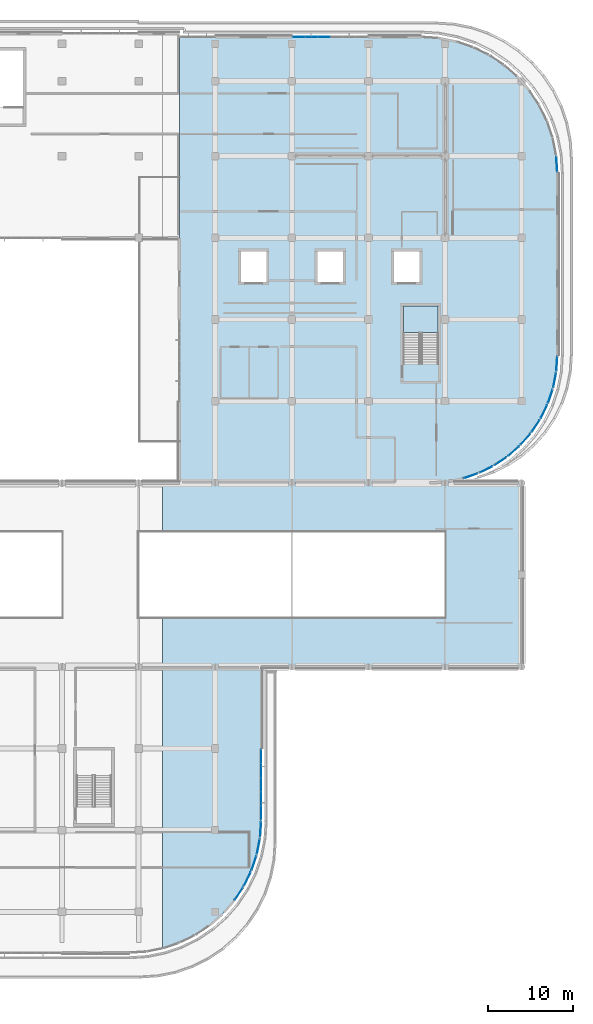
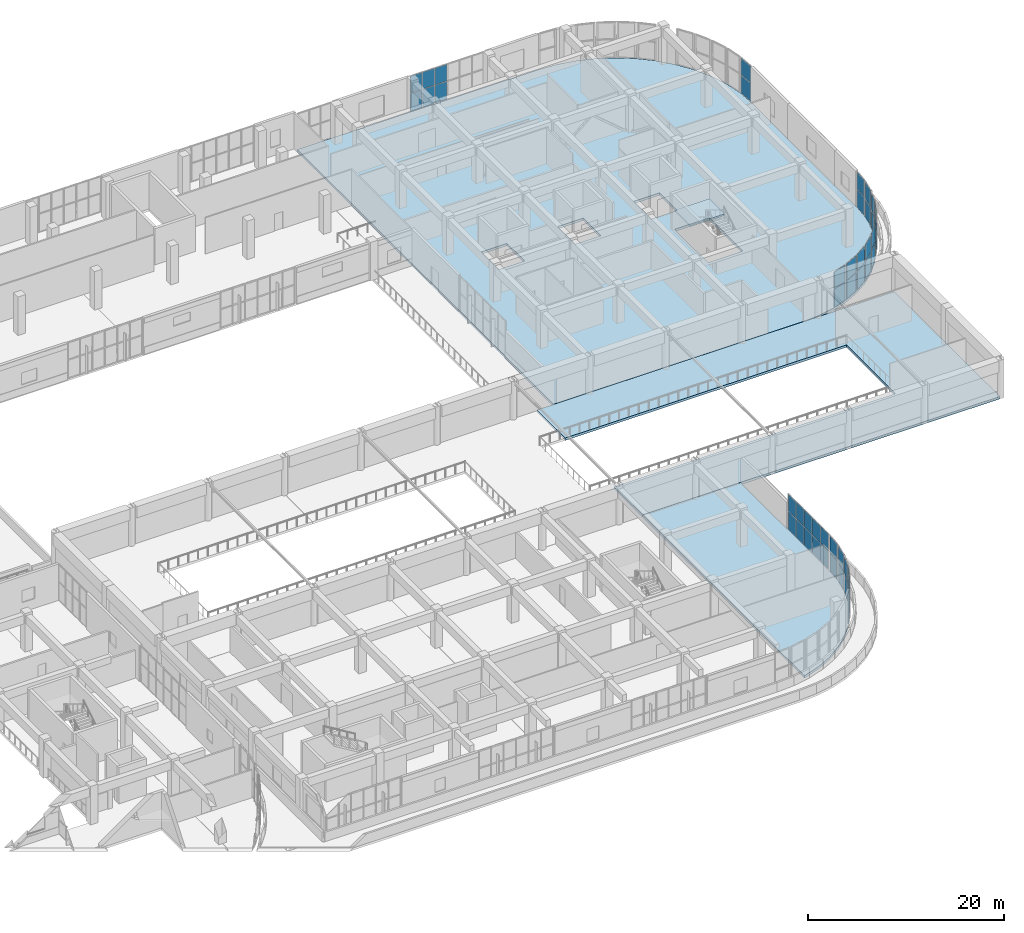
# One storey, part 55 of 96: 48 plates, 4 slabs, 19 elements without a shape of their own.
"""IFC4 building model written with IfcOpenShell, lengths in metres."""

import ifcopenshell
import ifcopenshell.guid

model = None  # the IFC model being written
_history = None  # IfcOwnerHistory: only IFC2X3 demands one
_inside = {}  # id of a spatial element -> (the spatial element, [elements in it])
_under = {}  # id of a project, library or spatial element -> (it, [spatial elements below it])
_declared = {}  # id of a project -> (the project, [libraries it declares])
_typed = {}  # id of a type object -> (the type object, [elements of that type])
_made_of = {}  # id of a material, layer set ... -> (it, [elements and type objects made of it])


def new_model(schema):
    """Start an empty IFC model of exactly this schema.

    Asked for "IFC4X3", IfcOpenShell would pick the latest addendum, in which some entities
    have other attributes; the version numbers below select the first issue.
    IFC2X3 requires an IfcOwnerHistory on every rooted entity: one is made here for all.
    """
    global model, _history
    if schema == "IFC4X3":
        model = ifcopenshell.file(schema_version=(4, 3, 0, 0))
    else:
        model = ifcopenshell.file(schema=schema)
    _inside.clear()
    _under.clear()
    _declared.clear()
    _typed.clear()
    _made_of.clear()
    _history = None
    if model.schema == "IFC2X3":
        org = make("IfcOrganization", Name="unknown")
        user = make(
            "IfcPersonAndOrganization",
            ThePerson=make("IfcPerson", FamilyName="unknown"),
            TheOrganization=org,
        )
        app = make(
            "IfcApplication",
            ApplicationDeveloper=org,
            Version="unknown",
            ApplicationFullName="unknown",
            ApplicationIdentifier="unknown",
        )
        _history = make(
            "IfcOwnerHistory",
            OwningUser=user,
            OwningApplication=app,
            ChangeAction="ADDED",
            CreationDate=0,
        )
    return model


def make(cls, **values):
    """One entity of the class cls with the attributes given. An attribute that is None is left unset."""
    return model.create_entity(
        cls, **{name: value for name, value in values.items() if value is not None}
    )


def rooted(cls, **values):
    """An entity with a GlobalId (a new one), such as an element, a storey or a relation."""
    return make(cls, GlobalId=ifcopenshell.guid.new(), OwnerHistory=_history, **values)


def si_unit(unit_type, name, prefix=None):
    """IfcSIUnit, for example si_unit("LENGTHUNIT", "METRE", prefix="MILLI")."""
    return make("IfcSIUnit", UnitType=unit_type, Prefix=prefix, Name=name)


def assignment(units):
    """IfcUnitAssignment: the units of a project."""
    return None if units is None else make("IfcUnitAssignment", Units=units)


def point(xyz):
    """IfcCartesianPoint."""
    return None if xyz is None else make("IfcCartesianPoint", Coordinates=xyz)


def direction(xyz):
    """IfcDirection."""
    return None if xyz is None else make("IfcDirection", DirectionRatios=xyz)


def frame(location, z_axis=None, x_axis=None):
    """IfcAxis2Placement3D, a coordinate frame: its origin and axes. An axis left out is left unset."""
    return make(
        "IfcAxis2Placement3D",
        Location=point(location),
        Axis=direction(z_axis),
        RefDirection=direction(x_axis),
    )


def frame_2d(location, x_axis=None):
    """IfcAxis2Placement2D, a coordinate frame in the plane: its origin and x axis."""
    return make(
        "IfcAxis2Placement2D", Location=point(location), RefDirection=direction(x_axis)
    )


def origin():
    """The frame at (0, 0, 0) with its axes left unset."""
    return frame((0.0, 0.0, 0.0))


def origin_2d():
    """The frame at (0, 0) in the plane with its x axis left unset."""
    return frame_2d((0.0, 0.0))


def place(relative_to, where):
    """IfcLocalPlacement: puts the frame where relative to a parent placement (None: the world)."""
    return make(
        "IfcLocalPlacement", PlacementRelTo=relative_to, RelativePlacement=where
    )


def context(
    kind, dimensions, precision=None, world=None, true_north=None, identifier=None
):
    """IfcGeometricRepresentationContext, for example the 3D "Model" context."""
    return make(
        "IfcGeometricRepresentationContext",
        ContextIdentifier=identifier,
        ContextType=kind,
        CoordinateSpaceDimension=dimensions,
        Precision=precision,
        WorldCoordinateSystem=world,
        TrueNorth=true_north,
    )


def subcontext(parent, identifier, kind, view, scale=None):
    """IfcGeometricRepresentationSubContext, for example "Body" below "Model"."""
    return make(
        "IfcGeometricRepresentationSubContext",
        ContextIdentifier=identifier,
        ContextType=kind,
        ParentContext=parent,
        TargetScale=scale,
        TargetView=view,
    )


def project(units=None, contexts=None):
    """IfcProject with its units and contexts."""
    return rooted(
        "IfcProject",
        Name="project",
        RepresentationContexts=contexts,
        UnitsInContext=assignment(units),
    )


def spatial(cls, under=None, at=None, **own):
    """A site, building, storey or space (cls), placed at a placement, below another one or the project."""
    s = rooted(cls, ObjectPlacement=at, **own)
    if under is not None:
        _under.setdefault(under.id(), (under, []))[1].append(s)
    return s


def polyline(points):
    """IfcPolyline through the points."""
    return make("IfcPolyline", Points=[point(p) for p in points])


def profile(cls, at=None, kind="AREA", **sizes):
    """A parametric profile (cls). Its sizes go by their IFC names, for example OverallWidth=200.0."""
    return make(cls, ProfileType=kind, Position=at, **sizes)


def rectangle(**sizes):
    """IfcRectangleProfileDef."""
    return profile("IfcRectangleProfileDef", **sizes)


def outline(outer, holes=None, kind="AREA"):
    """IfcArbitraryClosedProfileDef: a profile drawn as a closed curve; with holes, ...WithVoids."""
    if holes is None:
        return make("IfcArbitraryClosedProfileDef", ProfileType=kind, OuterCurve=outer)
    return make(
        "IfcArbitraryProfileDefWithVoids",
        ProfileType=kind,
        OuterCurve=outer,
        InnerCurves=holes,
    )


def extrude(swept, where, along, depth):
    """IfcExtrudedAreaSolid: the profile swept, set in the frame where, extruded along a direction by depth."""
    return make(
        "IfcExtrudedAreaSolid",
        SweptArea=swept,
        Position=where,
        ExtrudedDirection=direction(along),
        Depth=depth,
    )


def shape(context_of_items, identifier, shape_type, items):
    """IfcShapeRepresentation: the items that make up one representation, for example the "Body"."""
    return make(
        "IfcShapeRepresentation",
        ContextOfItems=context_of_items,
        RepresentationIdentifier=identifier,
        RepresentationType=shape_type,
        Items=items,
    )


def material(Name=None, Category=None):
    """IfcMaterial."""
    return make("IfcMaterial", Name=Name, Category=Category)


def layer(
    of_material, thickness, ventilated=None, Name=None, Category=None, Priority=None
):
    """IfcMaterialLayer: one layer of a wall or slab, of a material (None: an air gap)."""
    return make(
        "IfcMaterialLayer",
        Material=of_material,
        LayerThickness=thickness,
        IsVentilated=ventilated,
        Name=Name,
        Category=Category,
        Priority=Priority,
    )


def layer_set(layers, Name=None):
    """IfcMaterialLayerSet."""
    return make("IfcMaterialLayerSet", MaterialLayers=layers, LayerSetName=Name)


def made_of(thing, what):
    """Note that an element or type object is made of a material, layer set ...; save() writes the relation."""
    if what is not None:
        _made_of.setdefault(what.id(), (what, []))[1].append(thing)
    return thing


def type_object(cls, material=None, **own):
    """A type object (cls), such as IfcWallType, which elements share."""
    return made_of(rooted(cls, **own), material)


def element(
    cls,
    number,
    at=None,
    inside=None,
    cuts=None,
    type_object=None,
    material=None,
    context=None,
    identifier="Body",
    shape_type=None,
    held_by="IfcProductDefinitionShape",
    body=None,
    shapes=None,
    **own,
):
    """One element of the class cls, such as IfcWall. Its Tag is "e" and its number.

    at: its placement. inside: the storey or other place that contains it. cuts: it is an
    opening in that element (IfcRelVoidsElement). A single representation is given by context,
    identifier, shape_type and body (its items); several are given by shapes. held_by: the class
    of the entity that holds the representations. save() writes the other relations.
    """
    e = rooted(cls, Tag="e%d" % number, ObjectPlacement=at, **own)
    if body is not None:
        shapes = [shape(context, identifier, shape_type, body)]
    if shapes is not None:
        e.Representation = make(held_by, Representations=shapes)
    if inside is not None:
        _inside.setdefault(inside.id(), (inside, []))[1].append(e)
    if cuts is not None:
        rooted(
            "IfcRelVoidsElement", RelatingBuildingElement=cuts, RelatedOpeningElement=e
        )
    if type_object is not None:
        _typed.setdefault(type_object.id(), (type_object, []))[1].append(e)
    return made_of(e, material)


def aggregate(whole, parts):
    """IfcRelAggregates: a whole, such as a stair, and the parts it consists of."""
    return rooted("IfcRelAggregates", RelatingObject=whole, RelatedObjects=parts)


def save(model, path):
    """Write the relations noted so far, then the file.

    IfcRelAggregates (storeys below a building ...), IfcRelContainedInSpatialStructure (elements
    in a storey), IfcRelDefinesByType, IfcRelAssociatesMaterial and IfcRelDeclares: one each for
    every whole, place, type object, material and project.
    """
    for whole, parts in _under.values():
        aggregate(whole, parts)
    for where, things in _inside.values():
        rooted(
            "IfcRelContainedInSpatialStructure",
            RelatedElements=things,
            RelatingStructure=where,
        )
    for kind, things in _typed.values():
        rooted("IfcRelDefinesByType", RelatedObjects=things, RelatingType=kind)
    for what, things in _made_of.values():
        rooted("IfcRelAssociatesMaterial", RelatedObjects=things, RelatingMaterial=what)
    for by, libraries in _declared.values():
        rooted("IfcRelDeclares", RelatingContext=by, RelatedDefinitions=libraries)
    model.write(path)


model = new_model("IFC4")

# Units and contexts
model_context = context("Model", 3, precision=1e-05, world=origin(), true_north=direction((0.0, 1.0)))
body_context = subcontext(model_context, "Body", "Model", "MODEL_VIEW")
ifc_project = project(units=[si_unit("LENGTHUNIT", "METRE"), si_unit("AREAUNIT", "SQUARE_METRE"), si_unit("VOLUMEUNIT", "CUBIC_METRE"), si_unit("PLANEANGLEUNIT", "RADIAN"), si_unit("MASSUNIT", "GRAM", prefix="KILO")], contexts=[model_context])

# Site, building, storey
site_placement = place(None, origin())
site = spatial("IfcSite", under=ifc_project, at=site_placement, CompositionType="ELEMENT")
building_placement = place(site_placement, origin())
building = spatial("IfcBuilding", under=site, at=building_placement, Name="Cendralis Terraced Arcade", CompositionType="ELEMENT")
storey_placement = place(building_placement, frame((0.0, 0.0, 10.199951171875)))
storey = spatial("IfcBuildingStorey", under=building, at=storey_placement, Name="L02", CompositionType="ELEMENT", Elevation=10.199951171875)

# Curtain wall, plates
ifc_material_1 = material(Name="Anodised aluminium EN AW-6063 T6", Category="aluminium")
ifc_layer_1 = layer(ifc_material_1, 0.1201171875, Name="CW-STORE-B")
ifc_layer_set_1 = layer_set([ifc_layer_1], Name="Anodised aluminium EN AW-6063 T6")
curtain_wall_type_1 = type_object("IfcCurtainWallType", Name="CW-STORE-B", PredefinedType="USERDEFINED", material=ifc_layer_set_1)
curtain_wall_1_placement = place(storey_placement, origin())
curtain_wall_1 = element("IfcCurtainWall", 1, at=curtain_wall_1_placement, inside=storey, type_object=curtain_wall_type_1, Name="Exterior Storefront Glazing CW-L02-0157", ObjectType="STOREFRONT GLAZING", PredefinedType="USERDEFINED")
ifc_material_2 = material(Name="Tempered solar control laminated glass", Category="glass")
ifc_layer_2 = layer(ifc_material_2, 0.02392578125, Name="CW-STORE-B-PNL")
ifc_layer_set_2 = layer_set([ifc_layer_2], Name="Tempered solar control laminated glass")
plate_type_1 = type_object("IfcPlateType", Name="CW-STORE-B-PNL", PredefinedType="CURTAIN_PANEL", material=ifc_layer_set_2)
plate_1_placement = place(storey_placement, frame((140.038818359375, 112.39990234375, 0.05517578125), z_axis=(0.0, 0.0, 1.0), x_axis=(1.0, 0.0, 0.0)))
plate_1 = element("IfcPlate", 2, at=plate_1_placement, type_object=plate_type_1, Name="CW-S2 panel 1.1", PredefinedType="CURTAIN_PANEL", context=body_context, shape_type="SweptSolid", body=[
    extrude(rectangle(XDim=1.387451171875, YDim=0.02392578125, at=origin_2d()), origin(), (0.0, 0.0, 1.0), 2.265380859375),
])
plate_2_placement = place(storey_placement, frame((140.038818359375, 112.39990234375, 2.37548828125), z_axis=(0.0, 0.0, 1.0), x_axis=(1.0, 0.0, 0.0)))
plate_2 = element("IfcPlate", 3, at=plate_2_placement, type_object=plate_type_1, Name="CW-S2 panel 1.2", PredefinedType="CURTAIN_PANEL", context=body_context, shape_type="SweptSolid", body=[
    extrude(rectangle(XDim=1.387451171875, YDim=0.02392578125, at=origin_2d()), origin(), (0.0, 0.0, 1.0), 2.084716796875),
])
plate_3_placement = place(storey_placement, frame((141.4951171875, 112.39990234375, 0.05517578125), z_axis=(0.0, 0.0, 1.0), x_axis=(1.0, 0.0, 0.0)))
plate_3 = element("IfcPlate", 4, at=plate_3_placement, type_object=plate_type_1, Name="CW-S2 panel 2.1", PredefinedType="CURTAIN_PANEL", context=body_context, shape_type="SweptSolid", body=[
    extrude(rectangle(XDim=1.4150390625, YDim=0.02392578125, at=origin_2d()), origin(), (0.0, 0.0, 1.0), 2.265380859375),
])
plate_4_placement = place(storey_placement, frame((141.4951171875, 112.39990234375, 2.37548828125), z_axis=(0.0, 0.0, 1.0), x_axis=(1.0, 0.0, 0.0)))
plate_4 = element("IfcPlate", 5, at=plate_4_placement, type_object=plate_type_1, Name="CW-S2 panel 2.2", PredefinedType="CURTAIN_PANEL", context=body_context, shape_type="SweptSolid", body=[
    extrude(rectangle(XDim=1.4150390625, YDim=0.02392578125, at=origin_2d()), origin(), (0.0, 0.0, 1.0), 2.084716796875),
])
plate_5_placement = place(storey_placement, frame((142.965087890625, 112.39990234375, 0.05517578125), z_axis=(0.0, 0.0, 1.0), x_axis=(1.0, 0.0, 0.0)))
plate_5 = element("IfcPlate", 6, at=plate_5_placement, type_object=plate_type_1, Name="CW-S2 panel 3.1", PredefinedType="CURTAIN_PANEL", context=body_context, shape_type="SweptSolid", body=[
    extrude(rectangle(XDim=1.4150390625, YDim=0.02392578125, at=origin_2d()), origin(), (0.0, 0.0, 1.0), 2.265380859375),
])
plate_6_placement = place(storey_placement, frame((142.965087890625, 112.39990234375, 2.37548828125), z_axis=(0.0, 0.0, 1.0), x_axis=(1.0, 0.0, 0.0)))
plate_6 = element("IfcPlate", 7, at=plate_6_placement, type_object=plate_type_1, Name="CW-S2 panel 3.2", PredefinedType="CURTAIN_PANEL", context=body_context, shape_type="SweptSolid", body=[
    extrude(rectangle(XDim=1.4150390625, YDim=0.02392578125, at=origin_2d()), origin(), (0.0, 0.0, 1.0), 2.084716796875),
])
aggregate(curtain_wall_1, [plate_1, plate_2, plate_3, plate_4, plate_5, plate_6])

curtain_wall_2_placement = place(storey_placement, origin())
curtain_wall_2 = element("IfcCurtainWall", 8, at=curtain_wall_2_placement, inside=storey, type_object=curtain_wall_type_1, Name="Exterior Storefront Glazing CW-L02-0178", ObjectType="STOREFRONT GLAZING", PredefinedType="USERDEFINED")
plate_7_placement = place(storey_placement, frame((135.60009765625, 27.8642578125, 0.05517578125), z_axis=(0.0, 0.0, 1.0), x_axis=(0.0, -1.0, 0.0)))
plate_7 = element("IfcPlate", 9, at=plate_7_placement, type_object=plate_type_1, Name="CW-S2 panel 1.1", PredefinedType="CURTAIN_PANEL", context=body_context, shape_type="SweptSolid", body=[
    extrude(rectangle(XDim=1.58154296875, YDim=0.02392578125, at=origin_2d()), origin(), (0.0, 0.0, 1.0), 2.265380859375),
])
plate_8_placement = place(storey_placement, frame((135.60009765625, 27.8642578125, 2.37548828125), z_axis=(0.0, 0.0, 1.0), x_axis=(0.0, -1.0, 0.0)))
plate_8 = element("IfcPlate", 10, at=plate_8_placement, type_object=plate_type_1, Name="CW-S2 panel 1.2", PredefinedType="CURTAIN_PANEL", context=body_context, shape_type="SweptSolid", body=[
    extrude(rectangle(XDim=1.58154296875, YDim=0.02392578125, at=origin_2d()), origin(), (0.0, 0.0, 1.0), 2.084716796875),
])
plate_9_placement = place(storey_placement, frame((135.60009765625, 26.214111328125, 0.05517578125), z_axis=(0.0, 0.0, 1.0), x_axis=(0.0, -1.0, 0.0)))
plate_9 = element("IfcPlate", 11, at=plate_9_placement, type_object=plate_type_1, Name="CW-S2 panel 2.1", PredefinedType="CURTAIN_PANEL", context=body_context, shape_type="SweptSolid", body=[
    extrude(rectangle(XDim=1.60888671875, YDim=0.02392578125, at=origin_2d()), origin(), (0.0, 0.0, 1.0), 2.265380859375),
])
plate_10_placement = place(storey_placement, frame((135.60009765625, 26.214111328125, 2.37548828125), z_axis=(0.0, 0.0, 1.0), x_axis=(0.0, -1.0, 0.0)))
plate_10 = element("IfcPlate", 12, at=plate_10_placement, type_object=plate_type_1, Name="CW-S2 panel 2.2", PredefinedType="CURTAIN_PANEL", context=body_context, shape_type="SweptSolid", body=[
    extrude(rectangle(XDim=1.60888671875, YDim=0.02392578125, at=origin_2d()), origin(), (0.0, 0.0, 1.0), 2.084716796875),
])
plate_11_placement = place(storey_placement, frame((135.60009765625, 24.550048828125, 0.05517578125), z_axis=(0.0, 0.0, 1.0), x_axis=(0.0, -1.0, 0.0)))
plate_11 = element("IfcPlate", 13, at=plate_11_placement, type_object=plate_type_1, Name="CW-S2 panel 3.1", PredefinedType="CURTAIN_PANEL", context=body_context, shape_type="SweptSolid", body=[
    extrude(rectangle(XDim=1.60888671875, YDim=0.02392578125, at=origin_2d()), origin(), (0.0, 0.0, 1.0), 2.265380859375),
])
plate_12_placement = place(storey_placement, frame((135.60009765625, 24.550048828125, 2.37548828125), z_axis=(0.0, 0.0, 1.0), x_axis=(0.0, -1.0, 0.0)))
plate_12 = element("IfcPlate", 14, at=plate_12_placement, type_object=plate_type_1, Name="CW-S2 panel 3.2", PredefinedType="CURTAIN_PANEL", context=body_context, shape_type="SweptSolid", body=[
    extrude(rectangle(XDim=1.60888671875, YDim=0.02392578125, at=origin_2d()), origin(), (0.0, 0.0, 1.0), 2.084716796875),
])
plate_13_placement = place(storey_placement, frame((135.60009765625, 22.885986328125, 0.05517578125), z_axis=(0.0, 0.0, 1.0), x_axis=(0.0, -1.0, 0.0)))
plate_13 = element("IfcPlate", 15, at=plate_13_placement, type_object=plate_type_1, Name="CW-S2 panel 4.1", PredefinedType="CURTAIN_PANEL", context=body_context, shape_type="SweptSolid", body=[
    extrude(rectangle(XDim=1.60888671875, YDim=0.02392578125, at=origin_2d()), origin(), (0.0, 0.0, 1.0), 2.265380859375),
])
plate_14_placement = place(storey_placement, frame((135.60009765625, 22.885986328125, 2.37548828125), z_axis=(0.0, 0.0, 1.0), x_axis=(0.0, -1.0, 0.0)))
plate_14 = element("IfcPlate", 16, at=plate_14_placement, type_object=plate_type_1, Name="CW-S2 panel 4.2", PredefinedType="CURTAIN_PANEL", context=body_context, shape_type="SweptSolid", body=[
    extrude(rectangle(XDim=1.60888671875, YDim=0.02392578125, at=origin_2d()), origin(), (0.0, 0.0, 1.0), 2.084716796875),
])
plate_15_placement = place(storey_placement, frame((135.60009765625, 21.23583984375, 0.05517578125), z_axis=(0.0, 0.0, 1.0), x_axis=(0.0, -1.0, 0.0)))
plate_15 = element("IfcPlate", 17, at=plate_15_placement, type_object=plate_type_1, Name="CW-S2 panel 5.1", PredefinedType="CURTAIN_PANEL", context=body_context, shape_type="SweptSolid", body=[
    extrude(rectangle(XDim=1.58154296875, YDim=0.02392578125, at=origin_2d()), origin(), (0.0, 0.0, 1.0), 2.265380859375),
])
plate_16_placement = place(storey_placement, frame((135.60009765625, 21.23583984375, 2.37548828125), z_axis=(0.0, 0.0, 1.0), x_axis=(0.0, -1.0, 0.0)))
plate_16 = element("IfcPlate", 18, at=plate_16_placement, type_object=plate_type_1, Name="CW-S2 panel 5.2", PredefinedType="CURTAIN_PANEL", context=body_context, shape_type="SweptSolid", body=[
    extrude(rectangle(XDim=1.58154296875, YDim=0.02392578125, at=origin_2d()), origin(), (0.0, 0.0, 1.0), 2.084716796875),
])
aggregate(curtain_wall_2, [plate_7, plate_8, plate_9, plate_10, plate_11, plate_12, plate_13, plate_14, plate_15, plate_16])

ifc_layer_3 = layer(ifc_material_1, 0.179931640625, Name="CW-UNIT-A")
ifc_layer_set_3 = layer_set([ifc_layer_3], Name="Anodised aluminium EN AW-6063 T6")
curtain_wall_type_2 = type_object("IfcCurtainWallType", Name="CW-UNIT-A", PredefinedType="USERDEFINED", material=ifc_layer_set_3)
curtain_wall_3_placement = place(storey_placement, origin())
curtain_wall_3 = element("IfcCurtainWall", 19, at=curtain_wall_3_placement, inside=storey, type_object=curtain_wall_type_2, Name="Exterior Unitised Facade CW-L02-0167", ObjectType="UNITISED FACADE", PredefinedType="USERDEFINED")
ifc_layer_4 = layer(ifc_material_2, 0.035888671875, Name="CW-UNIT-A-PNL")
ifc_layer_set_4 = layer_set([ifc_layer_4], Name="Tempered solar control laminated glass")
plate_type_2 = type_object("IfcPlateType", Name="CW-UNIT-A-PNL", PredefinedType="CURTAIN_PANEL", material=ifc_layer_set_4)
plate_17_placement = place(storey_placement, frame((170.33154296875, 97.444091796875, 0.06494140625), z_axis=(0.0, 0.0, 1.0), x_axis=(0.065398256097, -0.997859242629, 0.0)))
plate_17 = element("IfcPlate", 20, at=plate_17_placement, type_object=plate_type_2, Name="CW-U1 panel 1.1", PredefinedType="CURTAIN_PANEL", context=body_context, shape_type="SweptSolid", body=[
    extrude(rectangle(XDim=1.782958984375, YDim=0.035888671875, at=origin_2d()), origin(), (0.0, 0.0, 1.0), 2.250244140625),
])
plate_18_placement = place(storey_placement, frame((170.33154296875, 97.444091796875, 2.38037109375), z_axis=(0.0, 0.0, 1.0), x_axis=(0.065398256097, -0.997859242629, 0.0)))
plate_18 = element("IfcPlate", 21, at=plate_18_placement, type_object=plate_type_2, Name="CW-U1 panel 1.2", PredefinedType="CURTAIN_PANEL", context=body_context, shape_type="SweptSolid", body=[
    extrude(rectangle(XDim=1.782958984375, YDim=0.035888671875, at=origin_2d()), origin(), (0.0, 0.0, 1.0), 2.069580078125),
])
aggregate(curtain_wall_3, [plate_17, plate_18])

curtain_wall_4_placement = place(storey_placement, origin())
curtain_wall_4 = element("IfcCurtainWall", 22, at=curtain_wall_4_placement, inside=storey, type_object=curtain_wall_type_2, Name="Exterior Unitised Facade CW-L02-0168", ObjectType="UNITISED FACADE", PredefinedType="USERDEFINED")
plate_19_placement = place(storey_placement, frame((170.3359375, 74.02099609375, 0.06494140625), z_axis=(0.0, 0.0, 1.0), x_axis=(-0.065371873798, -0.997860971336, 0.0)))
plate_19 = element("IfcPlate", 23, at=plate_19_placement, type_object=plate_type_2, Name="CW-U1 panel 1.1", PredefinedType="CURTAIN_PANEL", context=body_context, shape_type="SweptSolid", body=[
    extrude(rectangle(XDim=1.652099609375, YDim=0.035888671875, at=origin_2d()), origin(), (0.0, 0.0, 1.0), 2.250244140625),
])
plate_20_placement = place(storey_placement, frame((170.3359375, 74.02099609375, 2.38037109375), z_axis=(0.0, 0.0, 1.0), x_axis=(-0.065371873798, -0.997860971336, 0.0)))
plate_20 = element("IfcPlate", 24, at=plate_20_placement, type_object=plate_type_2, Name="CW-U1 panel 1.2", PredefinedType="CURTAIN_PANEL", context=body_context, shape_type="SweptSolid", body=[
    extrude(rectangle(XDim=1.652099609375, YDim=0.035888671875, at=origin_2d()), origin(), (0.0, 0.0, 1.0), 2.069580078125),
])
aggregate(curtain_wall_4, [plate_19, plate_20])

curtain_wall_5_placement = place(storey_placement, origin())
curtain_wall_5 = element("IfcCurtainWall", 25, at=curtain_wall_5_placement, inside=storey, type_object=curtain_wall_type_2, Name="Exterior Unitised Facade CW-L02-0169", ObjectType="UNITISED FACADE", PredefinedType="USERDEFINED")
plate_21_placement = place(storey_placement, frame((170.080322265625, 72.079833984375, 0.06494140625), z_axis=(0.0, 0.0, 1.0), x_axis=(-0.195058454434, -0.980791618721, 0.0)))
plate_21 = element("IfcPlate", 26, at=plate_21_placement, type_object=plate_type_2, Name="CW-U1 panel 1.1", PredefinedType="CURTAIN_PANEL", context=body_context, shape_type="SweptSolid", body=[
    extrude(rectangle(XDim=1.652099609375, YDim=0.035888671875, at=origin_2d()), origin(), (0.0, 0.0, 1.0), 2.250244140625),
])
plate_22_placement = place(storey_placement, frame((170.080322265625, 72.079833984375, 2.38037109375), z_axis=(0.0, 0.0, 1.0), x_axis=(-0.195058454434, -0.980791618721, 0.0)))
plate_22 = element("IfcPlate", 27, at=plate_22_placement, type_object=plate_type_2, Name="CW-U1 panel 1.2", PredefinedType="CURTAIN_PANEL", context=body_context, shape_type="SweptSolid", body=[
    extrude(rectangle(XDim=1.652099609375, YDim=0.035888671875, at=origin_2d()), origin(), (0.0, 0.0, 1.0), 2.069580078125),
])
aggregate(curtain_wall_5, [plate_21, plate_22])

curtain_wall_6_placement = place(storey_placement, origin())
curtain_wall_6 = element("IfcCurtainWall", 28, at=curtain_wall_6_placement, inside=storey, type_object=curtain_wall_type_2, Name="Exterior Unitised Facade CW-L02-0170", ObjectType="UNITISED FACADE", PredefinedType="USERDEFINED")
plate_23_placement = place(storey_placement, frame((169.573486328125, 70.188720703125, 0.06494140625), z_axis=(0.0, 0.0, 1.0), x_axis=(-0.321458077458, -0.946923811316, 0.0)))
plate_23 = element("IfcPlate", 29, at=plate_23_placement, type_object=plate_type_2, Name="CW-U1 panel 1.1", PredefinedType="CURTAIN_PANEL", context=body_context, shape_type="SweptSolid", body=[
    extrude(rectangle(XDim=1.652099609375, YDim=0.035888671875, at=origin_2d()), origin(), (0.0, 0.0, 1.0), 2.250244140625),
])
plate_24_placement = place(storey_placement, frame((169.573486328125, 70.188720703125, 2.38037109375), z_axis=(0.0, 0.0, 1.0), x_axis=(-0.321458077458, -0.946923811316, 0.0)))
plate_24 = element("IfcPlate", 30, at=plate_24_placement, type_object=plate_type_2, Name="CW-U1 panel 1.2", PredefinedType="CURTAIN_PANEL", context=body_context, shape_type="SweptSolid", body=[
    extrude(rectangle(XDim=1.652099609375, YDim=0.035888671875, at=origin_2d()), origin(), (0.0, 0.0, 1.0), 2.069580078125),
])
aggregate(curtain_wall_6, [plate_23, plate_24])

curtain_wall_7_placement = place(storey_placement, origin())
curtain_wall_7 = element("IfcCurtainWall", 31, at=curtain_wall_7_placement, inside=storey, type_object=curtain_wall_type_2, Name="Exterior Unitised Facade CW-L02-0171", ObjectType="UNITISED FACADE", PredefinedType="USERDEFINED")
plate_25_placement = place(storey_placement, frame((168.82421875, 68.3798828125, 0.06494140625), z_axis=(0.0, 0.0, 1.0), x_axis=(-0.442291247495, -0.896871480419, 0.0)))
plate_25 = element("IfcPlate", 32, at=plate_25_placement, type_object=plate_type_2, Name="CW-U1 panel 1.1", PredefinedType="CURTAIN_PANEL", context=body_context, shape_type="SweptSolid", body=[
    extrude(rectangle(XDim=1.652099609375, YDim=0.035888671875, at=origin_2d()), origin(), (0.0, 0.0, 1.0), 2.250244140625),
])
plate_26_placement = place(storey_placement, frame((168.82421875, 68.3798828125, 2.38037109375), z_axis=(0.0, 0.0, 1.0), x_axis=(-0.442291247495, -0.896871480419, 0.0)))
plate_26 = element("IfcPlate", 33, at=plate_26_placement, type_object=plate_type_2, Name="CW-U1 panel 1.2", PredefinedType="CURTAIN_PANEL", context=body_context, shape_type="SweptSolid", body=[
    extrude(rectangle(XDim=1.652099609375, YDim=0.035888671875, at=origin_2d()), origin(), (0.0, 0.0, 1.0), 2.069580078125),
])
aggregate(curtain_wall_7, [plate_25, plate_26])

curtain_wall_8_placement = place(storey_placement, origin())
curtain_wall_8 = element("IfcCurtainWall", 34, at=curtain_wall_8_placement, inside=storey, type_object=curtain_wall_type_2, Name="Exterior Unitised Facade CW-L02-0172", ObjectType="UNITISED FACADE", PredefinedType="USERDEFINED")
plate_27_placement = place(storey_placement, frame((167.845458984375, 66.684326171875, 0.06494140625), z_axis=(0.0, 0.0, 1.0), x_axis=(-0.555567476528, -0.831471454125, 0.0)))
plate_27 = element("IfcPlate", 35, at=plate_27_placement, type_object=plate_type_2, Name="CW-U1 panel 1.1", PredefinedType="CURTAIN_PANEL", context=body_context, shape_type="SweptSolid", body=[
    extrude(rectangle(XDim=1.652099609375, YDim=0.035888671875, at=origin_2d()), origin(), (0.0, 0.0, 1.0), 2.250244140625),
])
plate_28_placement = place(storey_placement, frame((167.845458984375, 66.684326171875, 2.38037109375), z_axis=(0.0, 0.0, 1.0), x_axis=(-0.555567476528, -0.831471454125, 0.0)))
plate_28 = element("IfcPlate", 36, at=plate_28_placement, type_object=plate_type_2, Name="CW-U1 panel 1.2", PredefinedType="CURTAIN_PANEL", context=body_context, shape_type="SweptSolid", body=[
    extrude(rectangle(XDim=1.652099609375, YDim=0.035888671875, at=origin_2d()), origin(), (0.0, 0.0, 1.0), 2.069580078125),
])
aggregate(curtain_wall_8, [plate_27, plate_28])

curtain_wall_9_placement = place(storey_placement, origin())
curtain_wall_9 = element("IfcCurtainWall", 37, at=curtain_wall_9_placement, inside=storey, type_object=curtain_wall_type_2, Name="Exterior Unitised Facade CW-L02-0173", ObjectType="UNITISED FACADE", PredefinedType="USERDEFINED")
plate_29_placement = place(storey_placement, frame((166.653564453125, 65.131103515625, 0.06494140625), z_axis=(0.0, 0.0, 1.0), x_axis=(-0.659386076266, -0.751804497477, 0.0)))
plate_29 = element("IfcPlate", 38, at=plate_29_placement, type_object=plate_type_2, Name="CW-U1 panel 1.1", PredefinedType="CURTAIN_PANEL", context=body_context, shape_type="SweptSolid", body=[
    extrude(rectangle(XDim=1.652099609375, YDim=0.035888671875, at=origin_2d()), origin(), (0.0, 0.0, 1.0), 2.250244140625),
])
plate_30_placement = place(storey_placement, frame((166.653564453125, 65.131103515625, 2.38037109375), z_axis=(0.0, 0.0, 1.0), x_axis=(-0.659386076266, -0.751804497477, 0.0)))
plate_30 = element("IfcPlate", 39, at=plate_30_placement, type_object=plate_type_2, Name="CW-U1 panel 1.2", PredefinedType="CURTAIN_PANEL", context=body_context, shape_type="SweptSolid", body=[
    extrude(rectangle(XDim=1.652099609375, YDim=0.035888671875, at=origin_2d()), origin(), (0.0, 0.0, 1.0), 2.069580078125),
])
aggregate(curtain_wall_9, [plate_29, plate_30])

curtain_wall_10_placement = place(storey_placement, origin())
curtain_wall_10 = element("IfcCurtainWall", 40, at=curtain_wall_10_placement, inside=storey, type_object=curtain_wall_type_2, Name="Exterior Unitised Facade CW-L02-0174", ObjectType="UNITISED FACADE", PredefinedType="USERDEFINED")
plate_31_placement = place(storey_placement, frame((165.26904296875, 63.74658203125, 0.06494140625), z_axis=(0.0, 0.0, 1.0), x_axis=(-0.751804497477, -0.659386076266, 0.0)))
plate_31 = element("IfcPlate", 41, at=plate_31_placement, type_object=plate_type_2, Name="CW-U1 panel 1.1", PredefinedType="CURTAIN_PANEL", context=body_context, shape_type="SweptSolid", body=[
    extrude(rectangle(XDim=1.652099609375, YDim=0.035888671875, at=origin_2d()), origin(), (0.0, 0.0, 1.0), 2.250244140625),
])
plate_32_placement = place(storey_placement, frame((165.26904296875, 63.74658203125, 2.38037109375), z_axis=(0.0, 0.0, 1.0), x_axis=(-0.751804497477, -0.659386076266, 0.0)))
plate_32 = element("IfcPlate", 42, at=plate_32_placement, type_object=plate_type_2, Name="CW-U1 panel 1.2", PredefinedType="CURTAIN_PANEL", context=body_context, shape_type="SweptSolid", body=[
    extrude(rectangle(XDim=1.652099609375, YDim=0.035888671875, at=origin_2d()), origin(), (0.0, 0.0, 1.0), 2.069580078125),
])
aggregate(curtain_wall_10, [plate_31, plate_32])

curtain_wall_11_placement = place(storey_placement, origin())
curtain_wall_11 = element("IfcCurtainWall", 43, at=curtain_wall_11_placement, inside=storey, type_object=curtain_wall_type_2, Name="Exterior Unitised Facade CW-L02-0175", ObjectType="UNITISED FACADE", PredefinedType="USERDEFINED")
plate_33_placement = place(storey_placement, frame((163.7158203125, 62.5546875, 0.06494140625), z_axis=(0.0, 0.0, 1.0), x_axis=(-0.831471454125, -0.555567476528, 0.0)))
plate_33 = element("IfcPlate", 44, at=plate_33_placement, type_object=plate_type_2, Name="CW-U1 panel 1.1", PredefinedType="CURTAIN_PANEL", context=body_context, shape_type="SweptSolid", body=[
    extrude(rectangle(XDim=1.652099609375, YDim=0.035888671875, at=origin_2d()), origin(), (0.0, 0.0, 1.0), 2.250244140625),
])
plate_34_placement = place(storey_placement, frame((163.7158203125, 62.5546875, 2.38037109375), z_axis=(0.0, 0.0, 1.0), x_axis=(-0.831471454125, -0.555567476528, 0.0)))
plate_34 = element("IfcPlate", 45, at=plate_34_placement, type_object=plate_type_2, Name="CW-U1 panel 1.2", PredefinedType="CURTAIN_PANEL", context=body_context, shape_type="SweptSolid", body=[
    extrude(rectangle(XDim=1.652099609375, YDim=0.035888671875, at=origin_2d()), origin(), (0.0, 0.0, 1.0), 2.069580078125),
])
aggregate(curtain_wall_11, [plate_33, plate_34])

curtain_wall_12_placement = place(storey_placement, origin())
curtain_wall_12 = element("IfcCurtainWall", 46, at=curtain_wall_12_placement, inside=storey, type_object=curtain_wall_type_2, Name="Exterior Unitised Facade CW-L02-0176", ObjectType="UNITISED FACADE", PredefinedType="USERDEFINED")
plate_35_placement = place(storey_placement, frame((162.020263671875, 61.57568359375, 0.06494140625), z_axis=(0.0, 0.0, 1.0), x_axis=(-0.896871480419, -0.442291247495, 0.0)))
plate_35 = element("IfcPlate", 47, at=plate_35_placement, type_object=plate_type_2, Name="CW-U1 panel 1.1", PredefinedType="CURTAIN_PANEL", context=body_context, shape_type="SweptSolid", body=[
    extrude(rectangle(XDim=1.652099609375, YDim=0.035888671875, at=origin_2d()), origin(), (0.0, 0.0, 1.0), 2.250244140625),
])
plate_36_placement = place(storey_placement, frame((162.020263671875, 61.57568359375, 2.38037109375), z_axis=(0.0, 0.0, 1.0), x_axis=(-0.896871480419, -0.442291247495, 0.0)))
plate_36 = element("IfcPlate", 48, at=plate_36_placement, type_object=plate_type_2, Name="CW-U1 panel 1.2", PredefinedType="CURTAIN_PANEL", context=body_context, shape_type="SweptSolid", body=[
    extrude(rectangle(XDim=1.652099609375, YDim=0.035888671875, at=origin_2d()), origin(), (0.0, 0.0, 1.0), 2.069580078125),
])
aggregate(curtain_wall_12, [plate_35, plate_36])

curtain_wall_13_placement = place(storey_placement, origin())
curtain_wall_13 = element("IfcCurtainWall", 49, at=curtain_wall_13_placement, inside=storey, type_object=curtain_wall_type_2, Name="Exterior Unitised Facade CW-L02-0177", ObjectType="UNITISED FACADE", PredefinedType="USERDEFINED")
plate_37_placement = place(storey_placement, frame((160.211181640625, 60.826416015625, 0.06494140625), z_axis=(0.0, 0.0, 1.0), x_axis=(-0.946923811316, -0.321458077458, 0.0)))
plate_37 = element("IfcPlate", 50, at=plate_37_placement, type_object=plate_type_2, Name="CW-U1 panel 1.1", PredefinedType="CURTAIN_PANEL", context=body_context, shape_type="SweptSolid", body=[
    extrude(rectangle(XDim=1.652099609375, YDim=0.035888671875, at=origin_2d()), origin(), (0.0, 0.0, 1.0), 2.250244140625),
])
plate_38_placement = place(storey_placement, frame((160.211181640625, 60.826416015625, 2.38037109375), z_axis=(0.0, 0.0, 1.0), x_axis=(-0.946923811316, -0.321458077458, 0.0)))
plate_38 = element("IfcPlate", 51, at=plate_38_placement, type_object=plate_type_2, Name="CW-U1 panel 1.2", PredefinedType="CURTAIN_PANEL", context=body_context, shape_type="SweptSolid", body=[
    extrude(rectangle(XDim=1.652099609375, YDim=0.035888671875, at=origin_2d()), origin(), (0.0, 0.0, 1.0), 2.069580078125),
])
aggregate(curtain_wall_13, [plate_37, plate_38])

curtain_wall_14_placement = place(storey_placement, origin())
curtain_wall_14 = element("IfcCurtainWall", 52, at=curtain_wall_14_placement, inside=storey, type_object=curtain_wall_type_2, Name="Exterior Unitised Facade CW-L02-0179", ObjectType="UNITISED FACADE", PredefinedType="USERDEFINED")
plate_39_placement = place(storey_placement, frame((135.53369140625, 19.288330078125, 0.06494140625), z_axis=(0.0, 0.0, 1.0), x_axis=(-0.065383766124, -0.997860192175, 0.0)))
plate_39 = element("IfcPlate", 53, at=plate_39_placement, type_object=plate_type_2, Name="CW-U1 panel 1.1", PredefinedType="CURTAIN_PANEL", context=body_context, shape_type="SweptSolid", body=[
    extrude(rectangle(XDim=1.717529296875, YDim=0.035888671875, at=origin_2d()), origin(), (0.0, 0.0, 1.0), 2.250244140625),
])
plate_40_placement = place(storey_placement, frame((135.53369140625, 19.288330078125, 2.38037109375), z_axis=(0.0, 0.0, 1.0), x_axis=(-0.065383766124, -0.997860192175, 0.0)))
plate_40 = element("IfcPlate", 54, at=plate_40_placement, type_object=plate_type_2, Name="CW-U1 panel 1.2", PredefinedType="CURTAIN_PANEL", context=body_context, shape_type="SweptSolid", body=[
    extrude(rectangle(XDim=1.717529296875, YDim=0.035888671875, at=origin_2d()), origin(), (0.0, 0.0, 1.0), 2.069580078125),
])
aggregate(curtain_wall_14, [plate_39, plate_40])

curtain_wall_15_placement = place(storey_placement, origin())
curtain_wall_15 = element("IfcCurtainWall", 55, at=curtain_wall_15_placement, inside=storey, type_object=curtain_wall_type_2, Name="Exterior Unitised Facade CW-L02-0180", ObjectType="UNITISED FACADE", PredefinedType="USERDEFINED")
plate_41_placement = place(storey_placement, frame((135.26953125, 17.282470703125, 0.06494140625), z_axis=(0.0, 0.0, 1.0), x_axis=(-0.195033398913, -0.980796601395, 0.0)))
plate_41 = element("IfcPlate", 56, at=plate_41_placement, type_object=plate_type_2, Name="CW-U1 panel 1.1", PredefinedType="CURTAIN_PANEL", context=body_context, shape_type="SweptSolid", body=[
    extrude(rectangle(XDim=1.71728515625, YDim=0.035888671875, at=origin_2d()), origin(), (0.0, 0.0, 1.0), 2.250244140625),
])
plate_42_placement = place(storey_placement, frame((135.26953125, 17.282470703125, 2.38037109375), z_axis=(0.0, 0.0, 1.0), x_axis=(-0.195033398913, -0.980796601395, 0.0)))
plate_42 = element("IfcPlate", 57, at=plate_42_placement, type_object=plate_type_2, Name="CW-U1 panel 1.2", PredefinedType="CURTAIN_PANEL", context=body_context, shape_type="SweptSolid", body=[
    extrude(rectangle(XDim=1.71728515625, YDim=0.035888671875, at=origin_2d()), origin(), (0.0, 0.0, 1.0), 2.069580078125),
])
aggregate(curtain_wall_15, [plate_41, plate_42])

curtain_wall_16_placement = place(storey_placement, origin())
curtain_wall_16 = element("IfcCurtainWall", 58, at=curtain_wall_16_placement, inside=storey, type_object=curtain_wall_type_2, Name="Exterior Unitised Facade CW-L02-0181", ObjectType="UNITISED FACADE", PredefinedType="USERDEFINED")
plate_43_placement = place(storey_placement, frame((134.74609375, 15.328369140625, 0.06494140625), z_axis=(0.0, 0.0, 1.0), x_axis=(-0.32150002033, -0.946909571674, 0.0)))
plate_43 = element("IfcPlate", 59, at=plate_43_placement, type_object=plate_type_2, Name="CW-U1 panel 1.1", PredefinedType="CURTAIN_PANEL", context=body_context, shape_type="SweptSolid", body=[
    extrude(rectangle(XDim=1.717529296875, YDim=0.035888671875, at=origin_2d()), origin(), (0.0, 0.0, 1.0), 2.250244140625),
])
plate_44_placement = place(storey_placement, frame((134.74609375, 15.328369140625, 2.38037109375), z_axis=(0.0, 0.0, 1.0), x_axis=(-0.32150002033, -0.946909571674, 0.0)))
plate_44 = element("IfcPlate", 60, at=plate_44_placement, type_object=plate_type_2, Name="CW-U1 panel 1.2", PredefinedType="CURTAIN_PANEL", context=body_context, shape_type="SweptSolid", body=[
    extrude(rectangle(XDim=1.717529296875, YDim=0.035888671875, at=origin_2d()), origin(), (0.0, 0.0, 1.0), 2.069580078125),
])
aggregate(curtain_wall_16, [plate_43, plate_44])

curtain_wall_17_placement = place(storey_placement, origin())
curtain_wall_17 = element("IfcCurtainWall", 61, at=curtain_wall_17_placement, inside=storey, type_object=curtain_wall_type_2, Name="Exterior Unitised Facade CW-L02-0182", ObjectType="UNITISED FACADE", PredefinedType="USERDEFINED")
plate_45_placement = place(storey_placement, frame((133.9716796875, 13.459228515625, 0.06494140625), z_axis=(0.0, 0.0, 1.0), x_axis=(-0.442270416572, -0.896881752867, 0.0)))
plate_45 = element("IfcPlate", 62, at=plate_45_placement, type_object=plate_type_2, Name="CW-U1 panel 1.1", PredefinedType="CURTAIN_PANEL", context=body_context, shape_type="SweptSolid", body=[
    extrude(rectangle(XDim=1.717529296875, YDim=0.035888671875, at=origin_2d()), origin(), (0.0, 0.0, 1.0), 2.250244140625),
])
plate_46_placement = place(storey_placement, frame((133.9716796875, 13.459228515625, 2.38037109375), z_axis=(0.0, 0.0, 1.0), x_axis=(-0.442270416572, -0.896881752867, 0.0)))
plate_46 = element("IfcPlate", 63, at=plate_46_placement, type_object=plate_type_2, Name="CW-U1 panel 1.2", PredefinedType="CURTAIN_PANEL", context=body_context, shape_type="SweptSolid", body=[
    extrude(rectangle(XDim=1.717529296875, YDim=0.035888671875, at=origin_2d()), origin(), (0.0, 0.0, 1.0), 2.069580078125),
])
aggregate(curtain_wall_17, [plate_45, plate_46])

curtain_wall_18_placement = place(storey_placement, origin())
curtain_wall_18 = element("IfcCurtainWall", 64, at=curtain_wall_18_placement, inside=storey, type_object=curtain_wall_type_2, Name="Exterior Unitised Facade CW-L02-0183", ObjectType="UNITISED FACADE", PredefinedType="USERDEFINED")
plate_47_placement = place(storey_placement, frame((132.960205078125, 11.70703125, 0.06494140625), z_axis=(0.0, 0.0, 1.0), x_axis=(-0.555549269065, -0.831483619587, 0.0)))
plate_47 = element("IfcPlate", 65, at=plate_47_placement, type_object=plate_type_2, Name="CW-U1 panel 1.1", PredefinedType="CURTAIN_PANEL", context=body_context, shape_type="SweptSolid", body=[
    extrude(rectangle(XDim=1.717529296875, YDim=0.035888671875, at=origin_2d()), origin(), (0.0, 0.0, 1.0), 2.250244140625),
])
plate_48_placement = place(storey_placement, frame((132.960205078125, 11.70703125, 2.38037109375), z_axis=(0.0, 0.0, 1.0), x_axis=(-0.555549269065, -0.831483619587, 0.0)))
plate_48 = element("IfcPlate", 66, at=plate_48_placement, type_object=plate_type_2, Name="CW-U1 panel 1.2", PredefinedType="CURTAIN_PANEL", context=body_context, shape_type="SweptSolid", body=[
    extrude(rectangle(XDim=1.717529296875, YDim=0.035888671875, at=origin_2d()), origin(), (0.0, 0.0, 1.0), 2.069580078125),
])
aggregate(curtain_wall_18, [plate_47, plate_48])

# Slabs
ifc_material_3 = material(Name="Concrete f'c 35 MPa", Category="concrete")
ifc_layer_5 = layer(ifc_material_3, 0.294921875, Name="SLB-L02-295")
ifc_layer_set_5 = layer_set([ifc_layer_5], Name="Concrete f'c 35 MPa")
slab_type_1 = type_object("IfcSlabType", Name="SLB-L02-295", PredefinedType="FLOOR", material=ifc_layer_set_5)
slab_1_placement = place(storey_placement, frame((0.0, 0.0, -0.294921875)))
element("IfcSlab", 67, at=slab_1_placement, inside=storey, type_object=slab_type_1, Name="Reinforced Concrete Floor Slab SLB-L02-V2-E1-1", PredefinedType="FLOOR", context=body_context, shape_type="SweptSolid", body=[
    extrude(outline(polyline([(124.02001953125, 38.39990234375), (124.02001953125, 44.199951171875), (157.199951171875, 44.199951171875), (157.199951171875, 54.199951171875), (124.02001953125, 54.199951171875), (124.02001953125, 60.0), (166.199951171875, 60.0), (166.199951171875, 38.39990234375), (124.02001953125, 38.39990234375)])), origin(), (0.0, 0.0, 1.0), 0.294921875),
])
slab_2_placement = place(storey_placement, frame((0.0, 0.0, -0.294921875)))
element("IfcSlab", 68, at=slab_2_placement, inside=storey, type_object=slab_type_1, Name="Reinforced Concrete Floor Slab SLB-L02-V4-E1-1", PredefinedType="FLOOR", context=body_context, shape_type="SweptSolid", body=[
    extrude(outline(polyline([(135.46728515625, 18.27685546875), (135.072021484375, 16.288330078125), (134.420166015625, 14.368408203125), (133.5234375, 12.550048828125), (132.39697265625, 10.8642578125), (131.060302734375, 9.33984375), (129.535888671875, 8.0029296875), (127.85009765625, 6.876708984375), (126.031494140625, 5.97998046875), (124.02001953125, 5.309814453125), (124.02001953125, 38.3798828125), (135.60009765625, 38.3798828125), (135.60009765625, 20.300048828125), (135.46728515625, 18.27685546875)])), origin(), (0.0, 0.0, 1.0), 0.294921875),
])
slab_3_placement = place(storey_placement, frame((0.0, 0.0, -0.294921875)))
element("IfcSlab", 69, at=slab_3_placement, inside=storey, type_object=slab_type_1, Name="Reinforced Concrete Floor Slab SLB-L02-V5-E1-1", PredefinedType="FLOOR", context=body_context, shape_type="SweptSolid", body=[
    extrude(outline(polyline([(156.48828125, 112.26318359375), (158.541015625, 111.854736328125), (160.52294921875, 111.18212890625), (162.39990234375, 110.25634765625), (164.14013671875, 109.09375), (165.713623046875, 107.713623046875), (167.09375, 106.14013671875), (168.25634765625, 104.39990234375), (169.18212890625, 102.52294921875), (169.854736328125, 100.541015625), (170.26318359375, 98.48828125), (170.39990234375, 96.39990234375), (170.39990234375, 75.0), (170.271728515625, 73.0419921875), (169.888916015625, 71.11767578125), (169.25830078125, 69.259765625), (168.390380859375, 67.5), (167.30029296875, 65.86865234375), (166.006591796875, 64.393310546875), (164.531494140625, 63.099609375), (162.89990234375, 62.009521484375), (161.140380859375, 61.141845703125), (159.2822265625, 60.510986328125), (157.35791015625, 60.12841796875), (155.705078125, 60.02001953125), (126.0, 60.02001953125), (126.02001953125, 112.39990234375), (154.39990234375, 112.39990234375), (156.48828125, 112.26318359375)]), holes=[polyline([(156.39990234375, 80.800048828125), (152.300048828125, 80.800048828125), (152.300048828125, 73.97998046875), (156.39990234375, 73.97998046875), (156.39990234375, 80.800048828125)]), polyline([(136.199951171875, 87.199951171875), (133.199951171875, 87.199951171875), (133.199951171875, 83.60009765625), (136.199951171875, 83.60009765625), (136.199951171875, 87.199951171875)]), polyline([(145.199951171875, 87.199951171875), (142.199951171875, 87.199951171875), (142.199951171875, 83.60009765625), (145.199951171875, 83.60009765625), (145.199951171875, 87.199951171875)]), polyline([(154.199951171875, 87.199951171875), (151.199951171875, 87.199951171875), (151.199951171875, 83.60009765625), (154.199951171875, 83.60009765625), (154.199951171875, 87.199951171875)])]), origin(), (0.0, 0.0, 1.0), 0.294921875),
])

# Stair, slab
stair_type = type_object("IfcStairType", Name="STR-W195-H480", PredefinedType="HALF_TURN_STAIR", material=ifc_material_3)
stair_placement = place(storey_placement, origin())
stair = element("IfcStair", 70, at=stair_placement, inside=storey, type_object=stair_type, Name="L02 Protected Exit Stair ST-06", PredefinedType="HALF_TURN_STAIR")
ifc_layer_6 = layer(ifc_material_3, 0.199951171875, Name="SLB-STAIR-LND-200")
ifc_layer_set_6 = layer_set([ifc_layer_6], Name="Concrete f'c 35 MPa")
slab_type_2 = type_object("IfcSlabType", Name="SLB-STAIR-LND-200", PredefinedType="LANDING", material=ifc_layer_set_6)
slab_4_placement = place(storey_placement, frame((0.0, 0.0, 2.199951171875)))
slab_4 = element("IfcSlab", 71, at=slab_4_placement, type_object=slab_type_2, Name="ST-06 landing 1", PredefinedType="LANDING", context=body_context, shape_type="SweptSolid", body=[
    extrude(outline(polyline([(156.39990234375, 77.655029296875), (156.39990234375, 80.800048828125), (152.300048828125, 80.800048828125), (152.300048828125, 77.655029296875), (156.39990234375, 77.655029296875)])), origin(), (0.0, 0.0, 1.0), 0.2001953125),
])
aggregate(stair, [slab_4])

save(model, "model.ifc")
